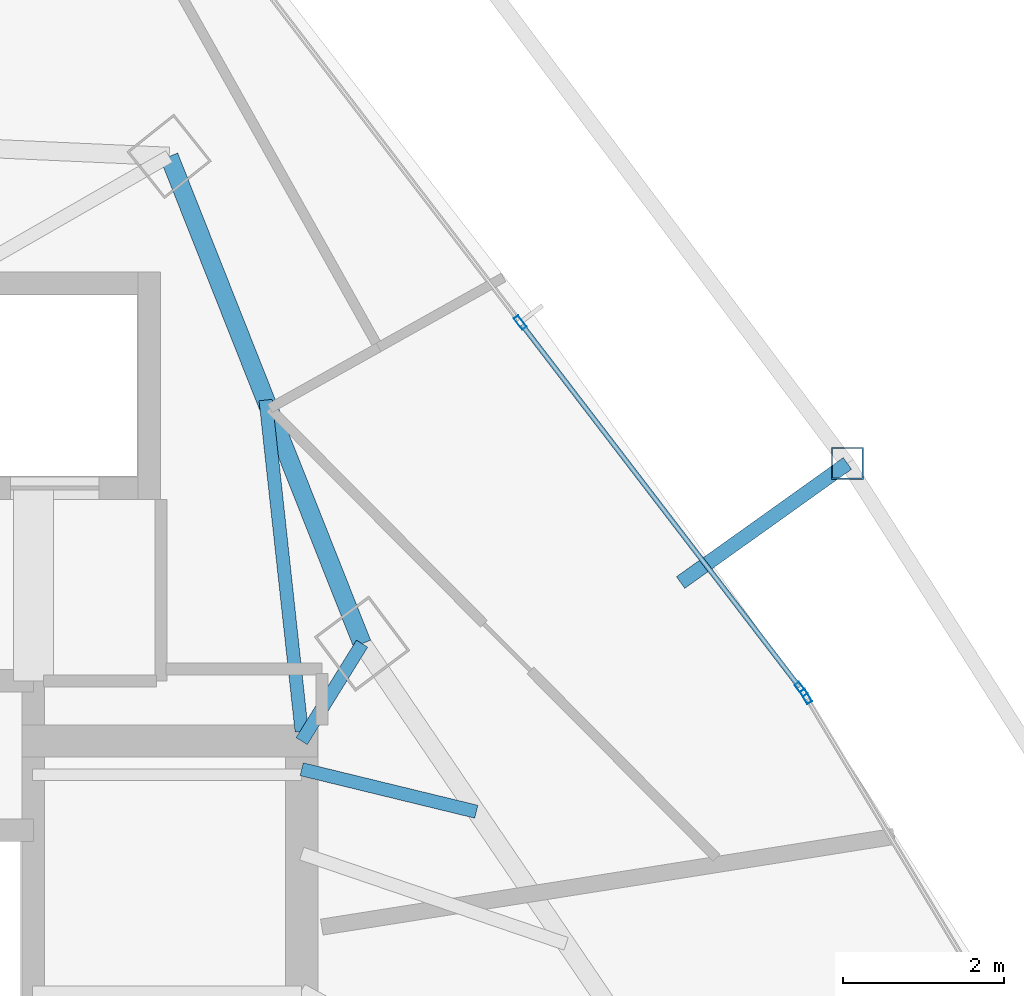
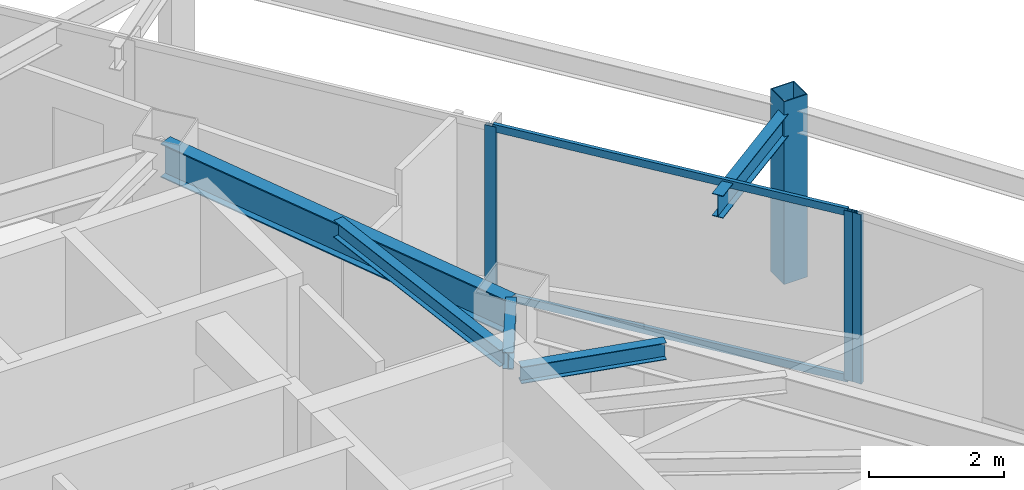
# One storey, part 25 of 33: 6 members, 5 beams, 2 elements without a shape of their own.
"""IFC4 building model written with IfcOpenShell, lengths in metres."""

from ifc_helpers import new_model, si_unit, direction, frame, origin, origin_2d, place, context, subcontext, project, spatial, hollow_rectangle, i_section, extrude, material, layer, layer_set, material_profile, profile_set, type_object, element, aggregate, save


model = new_model("IFC4")

# Units and contexts
model_context = context("Model", 3, precision=1e-05, world=origin(), true_north=direction((0.0, 1.0)))
body_context = subcontext(model_context, "Body", "Model", "MODEL_VIEW")
ifc_project = project(units=[si_unit("LENGTHUNIT", "METRE"), si_unit("AREAUNIT", "SQUARE_METRE"), si_unit("VOLUMEUNIT", "CUBIC_METRE"), si_unit("PLANEANGLEUNIT", "RADIAN"), si_unit("MASSUNIT", "GRAM", prefix="KILO")], contexts=[model_context])

# Site, building, storey
site_placement = place(None, origin())
site = spatial("IfcSite", under=ifc_project, at=site_placement, CompositionType="ELEMENT")
building_placement = place(site_placement, origin())
building = spatial("IfcBuilding", under=site, at=building_placement, Name="Orvanel Arch Residences", CompositionType="ELEMENT")
storey_placement = place(building_placement, frame((0.0, 0.0, 119.89990234375)))
storey = spatial("IfcBuildingStorey", under=building, at=storey_placement, Name="L33", CompositionType="ELEMENT", Elevation=119.89990234375)

# Beams
ifc_material_1 = material(Name="Structural steel AS/NZS 3679.1 Grade 300 (300 MPa)", Category="steel")
ifc_material_profile_1 = material_profile(ifc_material_1, i_section(OverallWidth=0.1650390625, OverallDepth=0.303955078125, WebThickness=0.006103515625, FlangeThickness=0.01025390625, at=origin_2d()), Name="310UB40.4")
ifc_profile_set_1 = profile_set([ifc_material_profile_1], Name="Structural steel AS/NZS 3679.1 Grade 300 (300 MPa)")
beam_type_1 = type_object("IfcBeamType", Name="BJ-310UB", PredefinedType="JOIST", material=ifc_profile_set_1)
beam_1_placement = place(storey_placement, frame((39.60009765625, 33.89990234375, 2.908203125), z_axis=(0.526843290616, 0.84996243866, 0.0), x_axis=(-0.84996243866, 0.526843290616, 0.0)))
element("IfcBeam", 1, at=beam_1_placement, inside=storey, type_object=beam_type_1, Name="L33 NNE Wing Floor Joist", PredefinedType="JOIST", context=body_context, shape_type="SweptSolid", body=[
    extrude(i_section(OverallWidth=0.1650390625, OverallDepth=0.303955078125, WebThickness=0.006103515625, FlangeThickness=0.01025390625, at=origin_2d()), origin(), (0.0, 0.0, 1.0), 1.42724609375),
])
beam_2_placement = place(storey_placement, frame((39.60009765625, 34.02001953125, 2.908203125), z_axis=(-0.108261441852, 0.99412245735, 0.0), x_axis=(-0.99412245735, -0.108261441852, 0.0)))
element("IfcBeam", 2, at=beam_2_placement, inside=storey, type_object=beam_type_1, Name="L33 NNE2 Wing Floor Joist", PredefinedType="JOIST", context=body_context, shape_type="SweptSolid", body=[
    extrude(i_section(OverallWidth=0.1650390625, OverallDepth=0.303955078125, WebThickness=0.006103515625, FlangeThickness=0.01025390625, at=origin_2d()), origin(), (0.0, 0.0, 1.0), 4.1494140625),
])
beam_3_placement = place(storey_placement, frame((39.60009765625, 33.550048828125, 2.908203125), z_axis=(0.971638471014, -0.236471312521, 0.0), x_axis=(0.236471312521, 0.971638471014, 0.0)))
element("IfcBeam", 3, at=beam_3_placement, inside=storey, type_object=beam_type_1, Name="L33 JADD4 Wing Floor Joist", PredefinedType="JOIST", context=body_context, shape_type="SweptSolid", body=[
    extrude(i_section(OverallWidth=0.1650390625, OverallDepth=0.303955078125, WebThickness=0.006103515625, FlangeThickness=0.01025390625, at=origin_2d()), origin(), (0.0, 0.0, 1.0), 2.2373046875),
])

# Curtain wall, member
ifc_material_2 = material(Name="Bronze-anodised aluminium AA6063-T6", Category="aluminium")
ifc_layer = layer(ifc_material_2, 0.179931640625)
ifc_layer_set = layer_set([ifc_layer], Name="Bronze-anodised aluminium AA6063-T6")
curtain_wall_type = type_object("IfcCurtainWallType", Name="CW3-MID-SYS", PredefinedType="NOTDEFINED", material=ifc_layer_set)
curtain_wall_1_placement = place(storey_placement, origin())
curtain_wall_1 = element("IfcCurtainWall", 4, at=curtain_wall_1_placement, inside=storey, type_object=curtain_wall_type, Name="L33 CW3-MID-SYS Unitised Curtain Wall", PredefinedType="NOTDEFINED")
ifc_material_profile_2 = material_profile(ifc_material_2, hollow_rectangle(XDim=0.070068359375, YDim=0.179931640625, WallThickness=0.00439453125, at=origin_2d()), Name="ALU180x70x4.5")
ifc_profile_set_2 = profile_set([ifc_material_profile_2], Name="Bronze-anodised aluminium AA6063-T6")
member_type_1 = type_object("IfcMemberType", Name="MUL-180x70", PredefinedType="MULLION", material=ifc_profile_set_2)
member_1_placement = place(storey_placement, frame((45.8779296875, 34.455078125, 0.0), z_axis=(0.0, 0.0, 1.0), x_axis=(-0.857515978834, -0.514457331608, 0.0)))
member_1 = element("IfcMember", 5, at=member_1_placement, type_object=member_type_1, Name="CW-S3 mullion 3", PredefinedType="MULLION", context=body_context, shape_type="SweptSolid", body=[
    extrude(hollow_rectangle(XDim=0.070068359375, YDim=0.179931640625, WallThickness=0.00439453125, at=origin_2d()), origin(), (0.0, 0.0, 1.0), 3.06005859375),
])
aggregate(curtain_wall_1, [member_1])

# Curtain wall, members
curtain_wall_2_placement = place(storey_placement, origin())
curtain_wall_2 = element("IfcCurtainWall", 6, at=curtain_wall_2_placement, inside=storey, type_object=curtain_wall_type, Name="L33 CW3-MID-SYS Unitised Curtain Wall", PredefinedType="NOTDEFINED")
member_2_placement = place(storey_placement, frame((45.816650390625, 34.5458984375, 0.0), z_axis=(0.0, 0.0, 1.0), x_axis=(-0.793866900823, -0.608091558713, 0.0)))
member_2 = element("IfcMember", 7, at=member_2_placement, type_object=member_type_1, Name="CW-S3 mullion 1", PredefinedType="MULLION", context=body_context, shape_type="SweptSolid", body=[
    extrude(hollow_rectangle(XDim=0.070068359375, YDim=0.179931640625, WallThickness=0.00439453125, at=origin_2d()), origin(), (0.0, 0.0, 1.0), 3.06005859375),
])
member_3_placement = place(storey_placement, frame((42.3203125, 39.1103515625, 0.0), z_axis=(0.0, 0.0, 1.0), x_axis=(-0.793866900823, -0.608091558713, 0.0)))
member_3 = element("IfcMember", 8, at=member_3_placement, type_object=member_type_1, Name="CW-S3 mullion 2", PredefinedType="MULLION", context=body_context, shape_type="SweptSolid", body=[
    extrude(hollow_rectangle(XDim=0.070068359375, YDim=0.179931640625, WallThickness=0.00439453125, at=origin_2d()), origin(), (0.0, 0.0, 1.0), 3.06005859375),
])

# Beams
ifc_material_profile_3 = material_profile(ifc_material_1, i_section(OverallWidth=0.177978515625, OverallDepth=0.406005859375, WebThickness=0.0078125, FlangeThickness=0.0126953125, at=origin_2d()), Name="410UB59.7")
ifc_profile_set_3 = profile_set([ifc_material_profile_3], Name="Structural steel AS/NZS 3679.1 Grade 300 (300 MPa)")
beam_type_2 = type_object("IfcBeamType", Name="OB-410UB-EXT", PredefinedType="SPANDREL", material=ifc_profile_set_3)
beam_4_placement = place(storey_placement, frame((44.31689453125, 35.8740234375, 2.857177734375), z_axis=(0.813798156004, 0.581147624347, 0.0), x_axis=(-0.581147624347, 0.813798156004, 0.0)))
element("IfcBeam", 9, at=beam_4_placement, inside=storey, type_object=beam_type_2, Name="L33 Outer Frame Radial Tie Beam 11", PredefinedType="SPANDREL", context=body_context, shape_type="SweptSolid", body=[
    extrude(i_section(OverallWidth=0.177978515625, OverallDepth=0.406005859375, WebThickness=0.0078125, FlangeThickness=0.0126953125, at=origin_2d()), origin(), (0.0, 0.0, 1.0), 2.550048828125),
])
ifc_material_profile_4 = material_profile(ifc_material_1, i_section(OverallWidth=0.22900390625, OverallDepth=0.612060546875, WebThickness=0.011962890625, FlangeThickness=0.01953125, at=origin_2d()), Name="610UB125")
ifc_profile_set_4 = profile_set([ifc_material_profile_4], Name="Structural steel AS/NZS 3679.1 Grade 300 (300 MPa)")
beam_type_3 = type_object("IfcBeamType", Name="SP-610UB", PredefinedType="SPANDREL", material=ifc_profile_set_4)
beam_5_placement = place(storey_placement, frame((40.35205078125, 35.113037109375, 2.754150390625), z_axis=(-0.368233143579, 0.929733484376, 0.0), x_axis=(-0.929733484376, -0.368233143579, 0.0)))
element("IfcBeam", 10, at=beam_5_placement, inside=storey, type_object=beam_type_3, Name="L33 Perimeter Spandrel Beam 13", PredefinedType="SPANDREL", context=body_context, shape_type="SweptSolid", body=[
    extrude(i_section(OverallWidth=0.22900390625, OverallDepth=0.612060546875, WebThickness=0.011962890625, FlangeThickness=0.01953125, at=origin_2d()), origin(), (0.0, 0.0, 1.0), 6.523193359375),
])

# Member
ifc_material_3 = material(Name="Structural steel AS/NZS 1163 C450L0 (Grade 450)", Category="steel")
ifc_material_profile_5 = material_profile(ifc_material_3, hollow_rectangle(XDim=0.39990234375, YDim=0.39990234375, WallThickness=0.01611328125, at=origin_2d()), Name="SHS400x400x16")
ifc_profile_set_5 = profile_set([ifc_material_profile_5], Name="Structural steel AS/NZS 1163 C450L0 (Grade 450)")
member_type_2 = type_object("IfcMemberType", Name="ST-400SHS-EXT", PredefinedType="STRUT", material=ifc_profile_set_5)
member_4_placement = place(storey_placement, frame((46.39208984375, 37.35595703125, 0.0), z_axis=(0.0, 0.0, 1.0), x_axis=(1.0, 0.0, 0.0)))
element("IfcMember", 11, at=member_4_placement, inside=storey, type_object=member_type_2, Name="L33 Outer Perimeter Frame Post 11", PredefinedType="STRUT", context=body_context, shape_type="SweptSolid", body=[
    extrude(hollow_rectangle(XDim=0.39990234375, YDim=0.39990234375, WallThickness=0.01611328125, at=origin_2d()), origin(), (0.0, 0.0, 1.0), 3.300048828125),
])

ifc_material_profile_6 = material_profile(ifc_material_2, hollow_rectangle(XDim=0.06005859375, YDim=0.135009765625, WallThickness=0.00390625, at=origin_2d()), Name="ALU135x60x4")
ifc_profile_set_6 = profile_set([ifc_material_profile_6], Name="Bronze-anodised aluminium AA6063-T6")
member_type_3 = type_object("IfcMemberType", Name="TRN-135x60", PredefinedType="USERDEFINED", material=ifc_profile_set_6)
member_5_placement = place(storey_placement, frame((45.79541015625, 34.573486328125, 0.030029296875), z_axis=(-0.608091287366, 0.793867108671, 0.0), x_axis=(-0.793867108671, -0.608091287366, 0.0)))
member_5 = element("IfcMember", 12, at=member_5_placement, type_object=member_type_3, Name="CW-S3 transom 1.1", ObjectType="TRANSOM", PredefinedType="USERDEFINED", context=body_context, shape_type="SweptSolid", body=[
    extrude(hollow_rectangle(XDim=0.06005859375, YDim=0.135009765625, WallThickness=0.00390625, at=origin_2d()), origin(), (0.0, 0.0, 1.0), 5.679931640625),
])

member_6_placement = place(storey_placement, frame((45.79541015625, 34.573486328125, 3.030029296875), z_axis=(-0.608091287366, 0.793867108671, 0.0), x_axis=(-0.793867108671, -0.608091287366, 0.0)))
member_6 = element("IfcMember", 13, at=member_6_placement, type_object=member_type_3, Name="CW-S3 transom 1.2", ObjectType="TRANSOM", PredefinedType="USERDEFINED", context=body_context, shape_type="SweptSolid", body=[
    extrude(hollow_rectangle(XDim=0.06005859375, YDim=0.135009765625, WallThickness=0.00390625, at=origin_2d()), origin(), (0.0, 0.0, 1.0), 5.679931640625),
])

aggregate(curtain_wall_2, [member_2, member_3, member_5, member_6])

save(model, "model.ifc")
